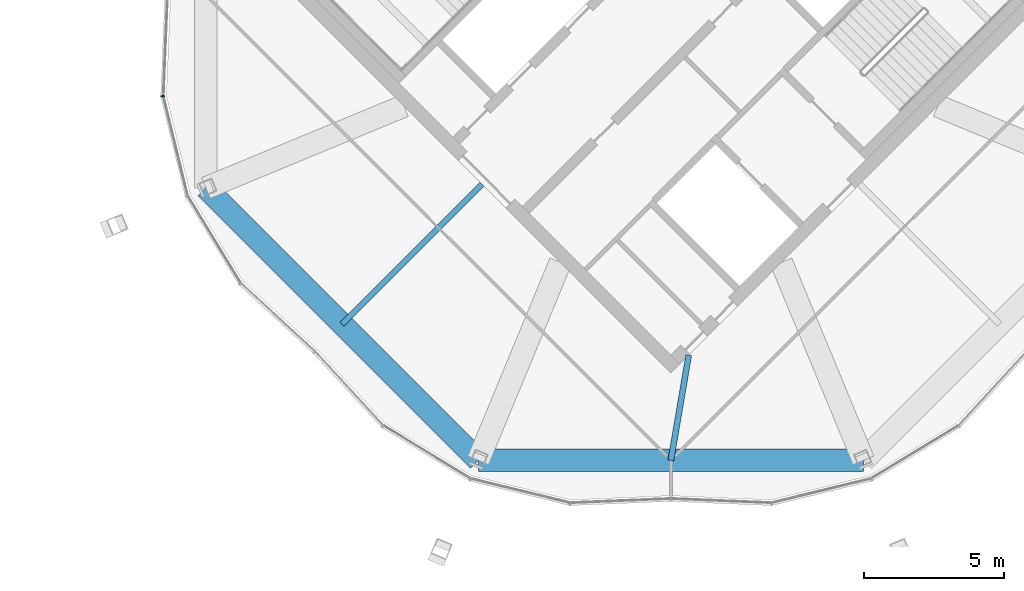
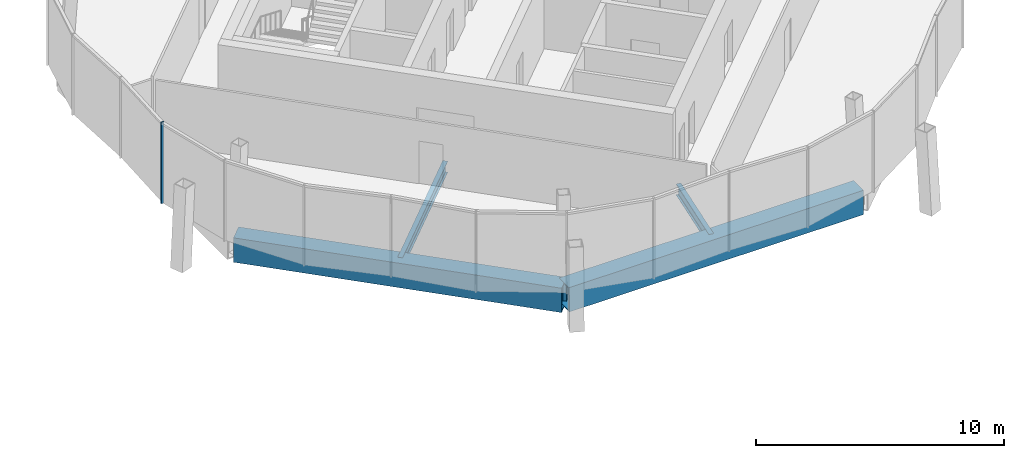
# One storey, part 9 of 22: 4 beams, 1 member, 1 element without a shape of its own.
"""IFC4 building model written with IfcOpenShell, lengths in metres."""

from ifc_helpers import new_model, si_unit, direction, frame, origin, origin_2d, place, context, subcontext, project, spatial, rectangle, hollow_rectangle, i_section, extrude, material, material_profile, profile_set, type_object, element, aggregate, save


model = new_model("IFC4")

# Units and contexts
model_context = context("Model", 3, precision=1e-05, world=origin(), true_north=direction((0.0, 1.0)))
body_context = subcontext(model_context, "Body", "Model", "MODEL_VIEW")
ifc_project = project(units=[si_unit("LENGTHUNIT", "METRE"), si_unit("AREAUNIT", "SQUARE_METRE"), si_unit("VOLUMEUNIT", "CUBIC_METRE"), si_unit("PLANEANGLEUNIT", "RADIAN"), si_unit("MASSUNIT", "GRAM", prefix="KILO")], contexts=[model_context])

# Site, building, storey
site_placement = place(None, origin())
site = spatial("IfcSite", under=ifc_project, at=site_placement, CompositionType="ELEMENT")
building_placement = place(site_placement, origin())
building = spatial("IfcBuilding", under=site, at=building_placement, Name="Ogive Gate Towers", CompositionType="ELEMENT")
storey_placement = place(building_placement, frame((0.0, 0.0, 298.0)))
storey = spatial("IfcBuildingStorey", under=building, at=storey_placement, Name="L70", CompositionType="ELEMENT", Elevation=298.0)

# Curtain wall, member
ifc_material_1 = material(Name="Pale metal aluminium", Category="aluminium")
curtain_wall_type = type_object("IfcCurtainWallType", Name="Crown lean wall", PredefinedType="NOTDEFINED", material=ifc_material_1)
curtain_wall_placement = place(storey_placement, origin())
curtain_wall = element("IfcCurtainWall", 1, at=curtain_wall_placement, inside=storey, type_object=curtain_wall_type, Name="CW5 T2 ECW05", PredefinedType="NOTDEFINED")
ifc_material_profile_1 = material_profile(ifc_material_1, rectangle(XDim=0.139892578125, YDim=0.050048828125, at=origin_2d()), Name="50 x 140 aluminium box")
ifc_profile_set_1 = profile_set([ifc_material_profile_1], Name="Pale metal aluminium")
member_type = type_object("IfcMemberType", Name="Crown lean wall mullion 50 x 140", PredefinedType="MULLION", material=ifc_profile_set_1)
member_placement = place(storey_placement, frame((17.911376953125, -3.585205078125, -0.300048828125), z_axis=(0.0, 0.0, 1.0), x_axis=(0.995103987926, 0.098833462017, 0.0)))
member = element("IfcMember", 2, at=member_placement, type_object=member_type, Name="CW5 mullion", PredefinedType="MULLION", context=body_context, shape_type="SweptSolid", body=[
    extrude(rectangle(XDim=0.139892578125, YDim=0.050048828125, at=origin_2d()), origin(), (0.0, 0.0, 1.0), 4.0),
])
aggregate(curtain_wall, [member])

# Beams
ifc_material_2 = material(Name="Steel SM460", Category="steel")
ifc_material_profile_2 = material_profile(ifc_material_2, hollow_rectangle(XDim=0.800048828125, YDim=1.199951171875, WallThickness=0.050048828125, at=origin_2d()), Name="BX 1200x800x50")
ifc_profile_set_2 = profile_set([ifc_material_profile_2], Name="Steel SM460")
beam_type_1 = type_object("IfcBeamType", Name="Edge girder BX 1200x800x50", PredefinedType="BEAM", material=ifc_profile_set_2)
beam_1_placement = place(storey_placement, frame((19.453369140625, -6.853759765625, -0.89990234375), z_axis=(0.707106781187, -0.707106781187, 0.0), x_axis=(0.707106781187, 0.707106781187, 0.0)))
element("IfcBeam", 3, at=beam_1_placement, inside=storey, type_object=beam_type_1, Name="T2/L70/SBM017", PredefinedType="BEAM", context=body_context, shape_type="SweptSolid", body=[
    extrude(hollow_rectangle(XDim=0.800048828125, YDim=1.199951171875, WallThickness=0.050048828125, at=origin_2d()), origin(), (0.0, 0.0, 1.0), 13.707763671875),
])
beam_2_placement = place(storey_placement, frame((29.146240234375, -16.546630859375, -0.89990234375), z_axis=(1.0, 0.0, 0.0), x_axis=(0.0, 1.0, 0.0)))
element("IfcBeam", 4, at=beam_2_placement, inside=storey, type_object=beam_type_1, Name="T2/L70/SBM018", PredefinedType="BEAM", context=body_context, shape_type="SweptSolid", body=[
    extrude(hollow_rectangle(XDim=0.800048828125, YDim=1.199951171875, WallThickness=0.050048828125, at=origin_2d()), origin(), (0.0, 0.0, 1.0), 13.70751953125),
])
ifc_material_3 = material(Name="Steel SM355", Category="steel")
ifc_material_profile_3 = material_profile(ifc_material_3, i_section(OverallWidth=0.2099609375, OverallDepth=0.550048828125, WebThickness=0.010986328125, FlangeThickness=0.01708984375, FilletRadius=0.02392578125, at=origin_2d()), Name="IPE 550")
ifc_profile_set_3 = profile_set([ifc_material_profile_3], Name="Steel SM355")
beam_type_2 = type_object("IfcBeamType", Name="Radial floor beam IPE 550", PredefinedType="BEAM", material=ifc_profile_set_3)
beam_3_placement = place(storey_placement, frame((29.282470703125, -6.717529296875, -0.574951171875), z_axis=(-0.707106781187, -0.707106781187, 0.0), x_axis=(0.707106781187, -0.707106781187, 0.0)))
element("IfcBeam", 5, at=beam_3_placement, inside=storey, type_object=beam_type_2, Name="T2/L70/SBM002", PredefinedType="BEAM", context=body_context, shape_type="SweptSolid", body=[
    extrude(i_section(OverallWidth=0.2099609375, OverallDepth=0.550048828125, WebThickness=0.010986328125, FlangeThickness=0.01708984375, FilletRadius=0.02392578125, at=origin_2d()), origin(), (0.0, 0.0, 1.0), 7.046630859375),
])
beam_4_placement = place(storey_placement, frame((36.636474609375, -12.798583984375, -0.574951171875), z_axis=(-0.167418232796, -0.985885964667, 0.0), x_axis=(0.985885964667, -0.167418232796, 0.0)))
element("IfcBeam", 6, at=beam_4_placement, inside=storey, type_object=beam_type_2, Name="T2/L70/SBM004", PredefinedType="BEAM", context=body_context, shape_type="SweptSolid", body=[
    extrude(i_section(OverallWidth=0.2099609375, OverallDepth=0.550048828125, WebThickness=0.010986328125, FlangeThickness=0.01708984375, FilletRadius=0.02392578125, at=origin_2d()), origin(), (0.0, 0.0, 1.0), 3.8017578125),
])

save(model, "model.ifc")
